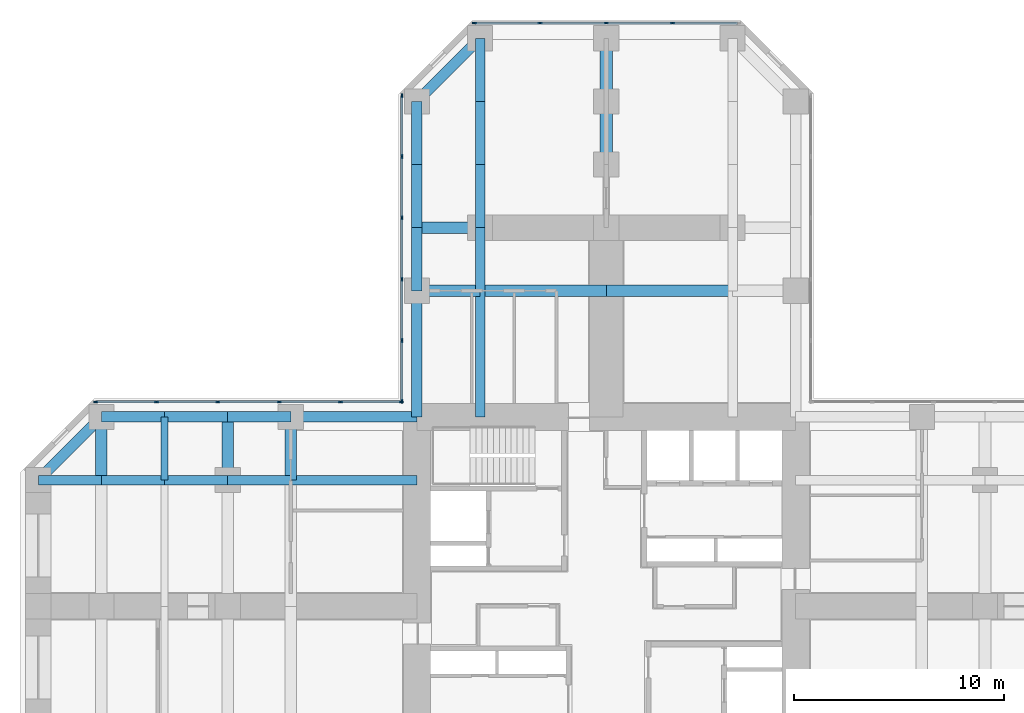
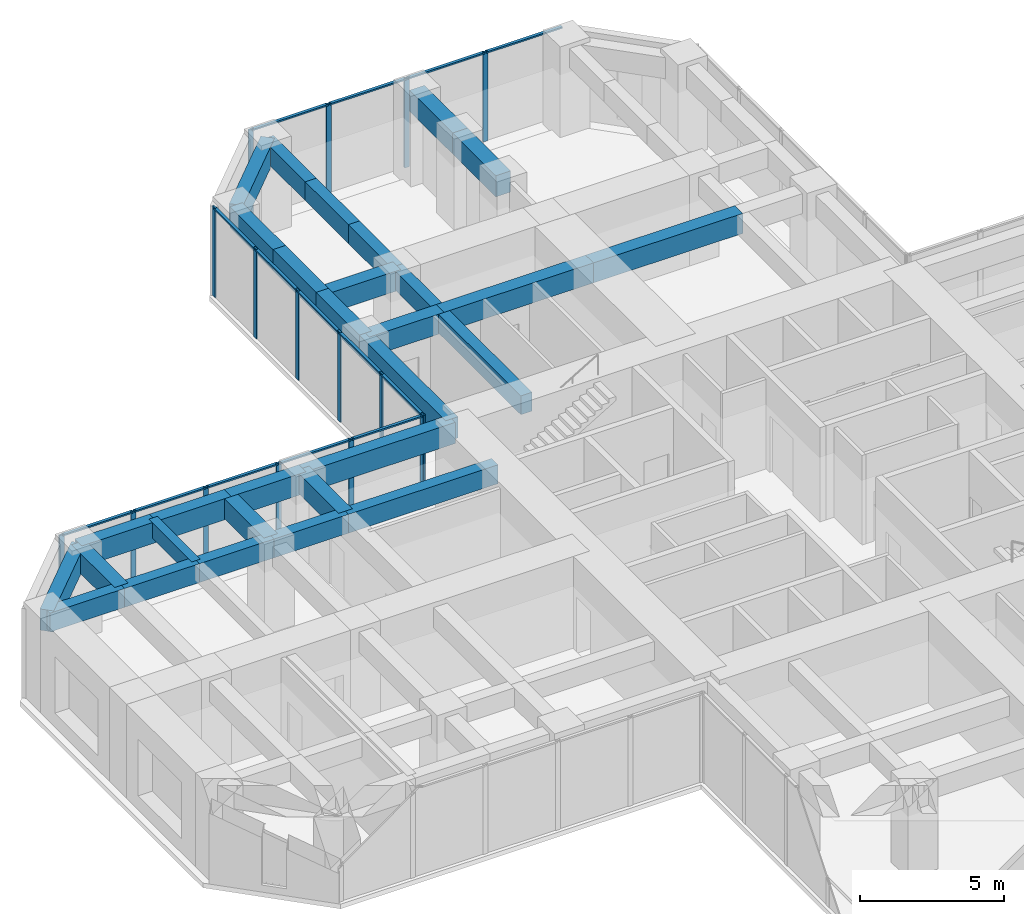
# One storey, part 5 of 12: 30 beams, 30 members, 3 elements without a shape of their own.
"""IFC4 building model written with IfcOpenShell, lengths in metres."""

from ifc_helpers import new_model, si_unit, direction, frame, origin, origin_2d, place, context, subcontext, project, spatial, rectangle, extrude, material, material_profile, profile_set, type_object, element, aggregate, save


model = new_model("IFC4")

# Units and contexts
model_context = context("Model", 3, precision=1e-05, world=origin(), true_north=direction((0.0, 1.0)))
body_context = subcontext(model_context, "Body", "Model", "MODEL_VIEW")
ifc_project = project(units=[si_unit("LENGTHUNIT", "METRE"), si_unit("AREAUNIT", "SQUARE_METRE"), si_unit("VOLUMEUNIT", "CUBIC_METRE"), si_unit("PLANEANGLEUNIT", "RADIAN"), si_unit("MASSUNIT", "GRAM", prefix="KILO")], contexts=[model_context])

# Site, building, storey
site_placement = place(None, origin())
site = spatial("IfcSite", under=ifc_project, at=site_placement, CompositionType="ELEMENT")
building_placement = place(site_placement, origin())
building = spatial("IfcBuilding", under=site, at=building_placement, Name="Torre Cruceta", CompositionType="ELEMENT")
storey_placement = place(building_placement, frame((0.0, 0.0, 63.5)))
storey = spatial("IfcBuildingStorey", under=building, at=storey_placement, Name="L15", CompositionType="ELEMENT", Elevation=63.5)

# Beams
ifc_material_1 = material(Name="Concrete G60 (fck 60 MPa)", Category="concrete")
ifc_material_profile_1 = material_profile(ifc_material_1, rectangle(XDim=0.60009765625, YDim=0.89990234375, at=origin_2d()), Name="RC 600X900")
ifc_profile_set_1 = profile_set([ifc_material_profile_1], Name="Concrete G60 (fck 60 MPa)")
beam_type_1 = type_object("IfcBeamType", Name="ARM CENTRE BEAM RC 600X900", PredefinedType="BEAM", material=ifc_profile_set_1)
for number, where, z_axis, x_axis, name in (
    (1, (0.0, 21.0, 3.35009765625), (0.0, 1.0, 0.0), (-1.0, 0.0, 0.0), "MB3 L15 N centre 1"),
    (2, (0.0, 24.0, 3.35009765625), (0.0, 1.0, 0.0), (-1.0, 0.0, 0.0), "MB3 L15 N centre 2"),
):
    element("IfcBeam", number, at=place(storey_placement, frame(where, z_axis=z_axis, x_axis=x_axis)), inside=storey, type_object=beam_type_1, Name=name, PredefinedType="BEAM", context=body_context, shape_type="SweptSolid", body=[
        extrude(rectangle(XDim=0.60009765625, YDim=0.89990234375, at=origin_2d()), origin(), (0.0, 0.0, 1.0), 3.0),
    ])
ifc_material_2 = material(Name="Concrete G60 (fck 60 MPa)", Category="concrete")
ifc_material_profile_2 = material_profile(ifc_material_2, rectangle(XDim=0.449951171875, YDim=0.800048828125, at=origin_2d()), Name="RC 450X800")
ifc_profile_set_2 = profile_set([ifc_material_profile_2], Name="Concrete G60 (fck 60 MPa)")
beam_type_2 = type_object("IfcBeamType", Name="COLUMN LINE BEAM RC 450X800", PredefinedType="BEAM", material=ifc_profile_set_2)
beam_1_placement = place(storey_placement, frame((-6.0, 9.0, 3.39990234375), z_axis=(0.0, 1.0, 0.0), x_axis=(-1.0, 0.0, 0.0)))
element("IfcBeam", 3, at=beam_1_placement, inside=storey, type_object=beam_type_2, Name="LB1 L15 N col+ 1", PredefinedType="BEAM", context=body_context, shape_type="SweptSolid", body=[
    extrude(rectangle(XDim=0.449951171875, YDim=0.800048828125, at=origin_2d()), origin(), (0.0, 0.0, 1.0), 6.0),
])
for number, where, z_axis, x_axis, name in (
    (4, (-6.0, 15.0, 3.39990234375), (0.0, 1.0, 0.0), (-1.0, 0.0, 0.0), "LB1 L15 N col+ 2"),
    (5, (-6.0, 18.0, 3.39990234375), (0.0, 1.0, 0.0), (-1.0, 0.0, 0.0), "LB1 L15 N col+ 3"),
    (6, (-6.0, 21.0, 3.39990234375), (0.0, 1.0, 0.0), (-1.0, 0.0, 0.0), "LB1 L15 N col+ 4"),
    (7, (-6.0, 24.0, 3.39990234375), (0.0, 1.0, 0.0), (-1.0, 0.0, 0.0), "LB1 L15 N col+ 5"),
):
    element("IfcBeam", number, at=place(storey_placement, frame(where, z_axis=z_axis, x_axis=x_axis)), inside=storey, type_object=beam_type_2, Name=name, PredefinedType="BEAM", context=body_context, shape_type="SweptSolid", body=[
        extrude(rectangle(XDim=0.449951171875, YDim=0.800048828125, at=origin_2d()), origin(), (0.0, 0.0, 1.0), 3.0),
    ])
beam_2_placement = place(storey_placement, frame((-9.0, 6.0, 3.39990234375), z_axis=(-1.0, 0.0, 0.0), x_axis=(0.0, -1.0, 0.0)))
element("IfcBeam", 8, at=beam_2_placement, inside=storey, type_object=beam_type_2, Name="LB1 L15 W col- 1", PredefinedType="BEAM", context=body_context, shape_type="SweptSolid", body=[
    extrude(rectangle(XDim=0.449951171875, YDim=0.800048828125, at=origin_2d()), origin(), (0.0, 0.0, 1.0), 6.0),
])
for number, where, z_axis, x_axis, name in (
    (9, (-15.0, 6.0, 3.39990234375), (-1.0, 0.0, 0.0), (0.0, -1.0, 0.0), "LB1 L15 W col- 2"),
    (10, (-18.0, 6.0, 3.39990234375), (-1.0, 0.0, 0.0), (0.0, -1.0, 0.0), "LB1 L15 W col- 3"),
    (11, (-21.0, 6.0, 3.39990234375), (-1.0, 0.0, 0.0), (0.0, -1.0, 0.0), "LB1 L15 W col- 4"),
    (12, (-24.0, 6.0, 3.39990234375), (-1.0, 0.0, 0.0), (0.0, -1.0, 0.0), "LB1 L15 W col- 5"),
):
    element("IfcBeam", number, at=place(storey_placement, frame(where, z_axis=z_axis, x_axis=x_axis)), inside=storey, type_object=beam_type_2, Name=name, PredefinedType="BEAM", context=body_context, shape_type="SweptSolid", body=[
        extrude(rectangle(XDim=0.449951171875, YDim=0.800048828125, at=origin_2d()), origin(), (0.0, 0.0, 1.0), 3.0),
    ])
ifc_material_3 = material(Name="Concrete G60 (fck 60 MPa)", Category="concrete")
ifc_material_profile_3 = material_profile(ifc_material_3, rectangle(XDim=0.550048828125, YDim=0.85009765625, at=origin_2d()), Name="RC 550X850")
ifc_profile_set_3 = profile_set([ifc_material_profile_3], Name="Concrete G60 (fck 60 MPa)")
beam_type_3 = type_object("IfcBeamType", Name="CROSS BEAM RC 550X850", PredefinedType="BEAM", material=ifc_profile_set_3)
for number, where, z_axis, x_axis, name in (
    (13, (6.0, 15.0, 3.375), (-1.0, 0.0, 0.0), (0.0, -1.0, 0.0), "GB4 L15 N cross15 2"),
    (14, (0.0, 15.0, 3.375), (-1.0, 0.0, 0.0), (0.0, -1.0, 0.0), "GB4 L15 N cross15 3"),
):
    element("IfcBeam", number, at=place(storey_placement, frame(where, z_axis=z_axis, x_axis=x_axis)), inside=storey, type_object=beam_type_3, Name=name, PredefinedType="BEAM", context=body_context, shape_type="SweptSolid", body=[
        extrude(rectangle(XDim=0.550048828125, YDim=0.85009765625, at=origin_2d()), origin(), (0.0, 0.0, 1.0), 6.0),
    ])
for number, where, z_axis, x_axis, name in (
    (15, (-6.0, 15.0, 3.375), (-1.0, 0.0, 0.0), (0.0, -1.0, 0.0), "GB4 L15 N cross15 4"),
    (16, (-6.0, 18.0, 3.375), (-1.0, 0.0, 0.0), (0.0, -1.0, 0.0), "GB4 L15 N cross18b 1"),
    (17, (-15.0, 9.0, 3.375), (0.0, -1.0, 0.0), (1.0, 0.0, 0.0), "GB4 L15 W cross15 1"),
    (18, (-18.0, 9.0, 3.375), (0.0, -1.0, 0.0), (1.0, 0.0, 0.0), "GB4 L15 W cross18 1"),
    (19, (-24.0, 9.0, 3.375), (0.0, -1.0, 0.0), (1.0, 0.0, 0.0), "GB4 L15 W cross24 1"),
):
    element("IfcBeam", number, at=place(storey_placement, frame(where, z_axis=z_axis, x_axis=x_axis)), inside=storey, type_object=beam_type_3, Name=name, PredefinedType="BEAM", context=body_context, shape_type="SweptSolid", body=[
        extrude(rectangle(XDim=0.550048828125, YDim=0.85009765625, at=origin_2d()), origin(), (0.0, 0.0, 1.0), 3.0),
    ])

# Curtain wall, members
ifc_material_4 = material(Name="Aluminium unitised curtain wall", Category="aluminium")
curtain_wall_type = type_object("IfcCurtainWallType", Name="CURTAIN WALL CW-A OFFICE LOW RISE", PredefinedType="USERDEFINED", material=ifc_material_4)
curtain_wall_1_placement = place(storey_placement, origin())
curtain_wall_1 = element("IfcCurtainWall", 20, at=curtain_wall_1_placement, inside=storey, type_object=curtain_wall_type, Name="CW-A L15 N tip 07", ObjectType="UNITISED", PredefinedType="USERDEFINED")
ifc_material_5 = material(Name="Aluminium mullion", Category="aluminium")
ifc_material_profile_4 = material_profile(ifc_material_5, rectangle(XDim=0.06494140625, YDim=0.199951171875, at=origin_2d()), Name="AL 65X200")
ifc_profile_set_4 = profile_set([ifc_material_profile_4], Name="Aluminium mullion")
member_type_1 = type_object("IfcMemberType", Name="CW-A MULLION 65X200", PredefinedType="MULLION", material=ifc_profile_set_4)
member_1_placement = place(storey_placement, frame((3.149169921875, 27.719970703125, 0.0), z_axis=(0.0, 0.0, 1.0), x_axis=(0.0, -1.0, 0.0)))
member_1 = element("IfcMember", 21, at=member_1_placement, type_object=member_type_1, Name="CW-A mullion 2", PredefinedType="MULLION", context=body_context, shape_type="SweptSolid", body=[
    extrude(rectangle(XDim=0.06494140625, YDim=0.199951171875, at=origin_2d()), origin(), (0.0, 0.0, 1.0), 3.800048828125),
])
member_2_placement = place(storey_placement, frame((0.0, 27.719970703125, 0.0), z_axis=(0.0, 0.0, 1.0), x_axis=(0.0, -1.0, 0.0)))
member_2 = element("IfcMember", 22, at=member_2_placement, type_object=member_type_1, Name="CW-A mullion 3", PredefinedType="MULLION", context=body_context, shape_type="SweptSolid", body=[
    extrude(rectangle(XDim=0.06494140625, YDim=0.199951171875, at=origin_2d()), origin(), (0.0, 0.0, 1.0), 3.800048828125),
])
member_3_placement = place(storey_placement, frame((-3.149169921875, 27.719970703125, 0.0), z_axis=(0.0, 0.0, 1.0), x_axis=(0.0, -1.0, 0.0)))
member_3 = element("IfcMember", 23, at=member_3_placement, type_object=member_type_1, Name="CW-A mullion 4", PredefinedType="MULLION", context=body_context, shape_type="SweptSolid", body=[
    extrude(rectangle(XDim=0.06494140625, YDim=0.199951171875, at=origin_2d()), origin(), (0.0, 0.0, 1.0), 3.800048828125),
])
member_4_placement = place(storey_placement, frame((-6.265625, 27.719970703125, 0.0), z_axis=(0.0, 0.0, 1.0), x_axis=(0.0, -1.0, 0.0)))
member_4 = element("IfcMember", 24, at=member_4_placement, type_object=member_type_1, Name="CW-A mullion 5", PredefinedType="MULLION", context=body_context, shape_type="SweptSolid", body=[
    extrude(rectangle(XDim=0.06494140625, YDim=0.199951171875, at=origin_2d()), origin(), (0.0, 0.0, 1.0), 3.800048828125),
])

curtain_wall_2_placement = place(storey_placement, origin())
curtain_wall_2 = element("IfcCurtainWall", 25, at=curtain_wall_2_placement, inside=storey, type_object=curtain_wall_type, Name="CW-A L15 N side 09", ObjectType="UNITISED", PredefinedType="USERDEFINED")
member_5_placement = place(storey_placement, frame((-9.719970703125, 24.265625, 0.0), z_axis=(0.0, 0.0, 1.0), x_axis=(1.0, 0.0, 0.0)))
member_5 = element("IfcMember", 26, at=member_5_placement, type_object=member_type_1, Name="CW-A mullion 1", PredefinedType="MULLION", context=body_context, shape_type="SweptSolid", body=[
    extrude(rectangle(XDim=0.06494140625, YDim=0.199951171875, at=origin_2d()), origin(), (0.0, 0.0, 1.0), 3.800048828125),
])
member_6_placement = place(storey_placement, frame((-9.719970703125, 21.382568359375, 0.0), z_axis=(0.0, 0.0, 1.0), x_axis=(1.0, 0.0, 0.0)))
member_6 = element("IfcMember", 27, at=member_6_placement, type_object=member_type_1, Name="CW-A mullion 2", PredefinedType="MULLION", context=body_context, shape_type="SweptSolid", body=[
    extrude(rectangle(XDim=0.06494140625, YDim=0.199951171875, at=origin_2d()), origin(), (0.0, 0.0, 1.0), 3.800048828125),
])
member_7_placement = place(storey_placement, frame((-9.719970703125, 18.467041015625, 0.0), z_axis=(0.0, 0.0, 1.0), x_axis=(1.0, 0.0, 0.0)))
member_7 = element("IfcMember", 28, at=member_7_placement, type_object=member_type_1, Name="CW-A mullion 3", PredefinedType="MULLION", context=body_context, shape_type="SweptSolid", body=[
    extrude(rectangle(XDim=0.06494140625, YDim=0.199951171875, at=origin_2d()), origin(), (0.0, 0.0, 1.0), 3.800048828125),
])
member_8_placement = place(storey_placement, frame((-9.719970703125, 15.55126953125, 0.0), z_axis=(0.0, 0.0, 1.0), x_axis=(1.0, 0.0, 0.0)))
member_8 = element("IfcMember", 29, at=member_8_placement, type_object=member_type_1, Name="CW-A mullion 4", PredefinedType="MULLION", context=body_context, shape_type="SweptSolid", body=[
    extrude(rectangle(XDim=0.06494140625, YDim=0.199951171875, at=origin_2d()), origin(), (0.0, 0.0, 1.0), 3.800048828125),
])
member_9_placement = place(storey_placement, frame((-9.719970703125, 12.6357421875, 0.0), z_axis=(0.0, 0.0, 1.0), x_axis=(1.0, 0.0, 0.0)))
member_9 = element("IfcMember", 30, at=member_9_placement, type_object=member_type_1, Name="CW-A mullion 5", PredefinedType="MULLION", context=body_context, shape_type="SweptSolid", body=[
    extrude(rectangle(XDim=0.06494140625, YDim=0.199951171875, at=origin_2d()), origin(), (0.0, 0.0, 1.0), 3.800048828125),
])
member_10_placement = place(storey_placement, frame((-9.719970703125, 9.75244140625, 0.0), z_axis=(0.0, 0.0, 1.0), x_axis=(1.0, 0.0, 0.0)))
member_10 = element("IfcMember", 31, at=member_10_placement, type_object=member_type_1, Name="CW-A mullion 6", PredefinedType="MULLION", context=body_context, shape_type="SweptSolid", body=[
    extrude(rectangle(XDim=0.06494140625, YDim=0.199951171875, at=origin_2d()), origin(), (0.0, 0.0, 1.0), 3.800048828125),
])

curtain_wall_3_placement = place(storey_placement, origin())
curtain_wall_3 = element("IfcCurtainWall", 32, at=curtain_wall_3_placement, inside=storey, type_object=curtain_wall_type, Name="CW-A L15 W side 10", ObjectType="UNITISED", PredefinedType="USERDEFINED")
member_11_placement = place(storey_placement, frame((-9.75244140625, 9.719970703125, 0.0), z_axis=(0.0, 0.0, 1.0), x_axis=(0.0, -1.0, 0.0)))
member_11 = element("IfcMember", 33, at=member_11_placement, type_object=member_type_1, Name="CW-A mullion 1", PredefinedType="MULLION", context=body_context, shape_type="SweptSolid", body=[
    extrude(rectangle(XDim=0.06494140625, YDim=0.199951171875, at=origin_2d()), origin(), (0.0, 0.0, 1.0), 3.800048828125),
])
member_12_placement = place(storey_placement, frame((-12.6357421875, 9.719970703125, 0.0), z_axis=(0.0, 0.0, 1.0), x_axis=(0.0, -1.0, 0.0)))
member_12 = element("IfcMember", 34, at=member_12_placement, type_object=member_type_1, Name="CW-A mullion 2", PredefinedType="MULLION", context=body_context, shape_type="SweptSolid", body=[
    extrude(rectangle(XDim=0.06494140625, YDim=0.199951171875, at=origin_2d()), origin(), (0.0, 0.0, 1.0), 3.800048828125),
])
member_13_placement = place(storey_placement, frame((-15.55126953125, 9.719970703125, 0.0), z_axis=(0.0, 0.0, 1.0), x_axis=(0.0, -1.0, 0.0)))
member_13 = element("IfcMember", 35, at=member_13_placement, type_object=member_type_1, Name="CW-A mullion 3", PredefinedType="MULLION", context=body_context, shape_type="SweptSolid", body=[
    extrude(rectangle(XDim=0.06494140625, YDim=0.199951171875, at=origin_2d()), origin(), (0.0, 0.0, 1.0), 3.800048828125),
])
member_14_placement = place(storey_placement, frame((-18.467041015625, 9.719970703125, 0.0), z_axis=(0.0, 0.0, 1.0), x_axis=(0.0, -1.0, 0.0)))
member_14 = element("IfcMember", 36, at=member_14_placement, type_object=member_type_1, Name="CW-A mullion 4", PredefinedType="MULLION", context=body_context, shape_type="SweptSolid", body=[
    extrude(rectangle(XDim=0.06494140625, YDim=0.199951171875, at=origin_2d()), origin(), (0.0, 0.0, 1.0), 3.800048828125),
])
member_15_placement = place(storey_placement, frame((-21.382568359375, 9.719970703125, 0.0), z_axis=(0.0, 0.0, 1.0), x_axis=(0.0, -1.0, 0.0)))
member_15 = element("IfcMember", 37, at=member_15_placement, type_object=member_type_1, Name="CW-A mullion 5", PredefinedType="MULLION", context=body_context, shape_type="SweptSolid", body=[
    extrude(rectangle(XDim=0.06494140625, YDim=0.199951171875, at=origin_2d()), origin(), (0.0, 0.0, 1.0), 3.800048828125),
])
member_16_placement = place(storey_placement, frame((-24.265625, 9.719970703125, 0.0), z_axis=(0.0, 0.0, 1.0), x_axis=(0.0, -1.0, 0.0)))
member_16 = element("IfcMember", 38, at=member_16_placement, type_object=member_type_1, Name="CW-A mullion 6", PredefinedType="MULLION", context=body_context, shape_type="SweptSolid", body=[
    extrude(rectangle(XDim=0.06494140625, YDim=0.199951171875, at=origin_2d()), origin(), (0.0, 0.0, 1.0), 3.800048828125),
])

# Member
ifc_material_6 = material(Name="Aluminium transom", Category="aluminium")
ifc_material_profile_5 = material_profile(ifc_material_6, rectangle(XDim=0.1201171875, YDim=0.06494140625, at=origin_2d()), Name="AL 120X65")
ifc_profile_set_5 = profile_set([ifc_material_profile_5], Name="Aluminium transom")
member_type_2 = type_object("IfcMemberType", Name="CW-A TRANSOM 65X120", PredefinedType="USERDEFINED", material=ifc_profile_set_5)
member_17_placement = place(storey_placement, frame((6.233154296875, 27.719970703125, 3.767578125), z_axis=(-1.0, 0.0, 0.0), x_axis=(0.0, -1.0, 0.0)))
member_17 = element("IfcMember", 39, at=member_17_placement, type_object=member_type_2, Name="CW-A transom 1", ObjectType="TRANSOM", PredefinedType="USERDEFINED", context=body_context, shape_type="SweptSolid", body=[
    extrude(rectangle(XDim=0.1201171875, YDim=0.06494140625, at=origin_2d()), origin(), (0.0, 0.0, 1.0), 3.051513671875),
])

member_18_placement = place(storey_placement, frame((3.11669921875, 27.719970703125, 3.767578125), z_axis=(-1.0, 0.0, 0.0), x_axis=(0.0, -1.0, 0.0)))
member_18 = element("IfcMember", 40, at=member_18_placement, type_object=member_type_2, Name="CW-A transom 2", ObjectType="TRANSOM", PredefinedType="USERDEFINED", context=body_context, shape_type="SweptSolid", body=[
    extrude(rectangle(XDim=0.1201171875, YDim=0.06494140625, at=origin_2d()), origin(), (0.0, 0.0, 1.0), 3.084228515625),
])

member_19_placement = place(storey_placement, frame((-0.032470703125, 27.719970703125, 3.767578125), z_axis=(-1.0, 0.0, 0.0), x_axis=(0.0, -1.0, 0.0)))
member_19 = element("IfcMember", 41, at=member_19_placement, type_object=member_type_2, Name="CW-A transom 3", ObjectType="TRANSOM", PredefinedType="USERDEFINED", context=body_context, shape_type="SweptSolid", body=[
    extrude(rectangle(XDim=0.1201171875, YDim=0.06494140625, at=origin_2d()), origin(), (0.0, 0.0, 1.0), 3.084228515625),
])

member_20_placement = place(storey_placement, frame((-3.181640625, 27.719970703125, 3.767578125), z_axis=(-1.0, 0.0, 0.0), x_axis=(0.0, -1.0, 0.0)))
member_20 = element("IfcMember", 42, at=member_20_placement, type_object=member_type_2, Name="CW-A transom 4", ObjectType="TRANSOM", PredefinedType="USERDEFINED", context=body_context, shape_type="SweptSolid", body=[
    extrude(rectangle(XDim=0.1201171875, YDim=0.06494140625, at=origin_2d()), origin(), (0.0, 0.0, 1.0), 3.051513671875),
])

aggregate(curtain_wall_1, [member_1, member_2, member_3, member_4, member_17, member_18, member_19, member_20])

member_21_placement = place(storey_placement, frame((-9.719970703125, 24.233154296875, 3.767578125), z_axis=(0.0, -1.0, 0.0), x_axis=(1.0, 0.0, 0.0)))
member_21 = element("IfcMember", 43, at=member_21_placement, type_object=member_type_2, Name="CW-A transom 1", ObjectType="TRANSOM", PredefinedType="USERDEFINED", context=body_context, shape_type="SweptSolid", body=[
    extrude(rectangle(XDim=0.1201171875, YDim=0.06494140625, at=origin_2d()), origin(), (0.0, 0.0, 1.0), 2.818115234375),
])

member_22_placement = place(storey_placement, frame((-9.719970703125, 21.35009765625, 3.767578125), z_axis=(0.0, -1.0, 0.0), x_axis=(1.0, 0.0, 0.0)))
member_22 = element("IfcMember", 44, at=member_22_placement, type_object=member_type_2, Name="CW-A transom 2", ObjectType="TRANSOM", PredefinedType="USERDEFINED", context=body_context, shape_type="SweptSolid", body=[
    extrude(rectangle(XDim=0.1201171875, YDim=0.06494140625, at=origin_2d()), origin(), (0.0, 0.0, 1.0), 2.8505859375),
])

member_23_placement = place(storey_placement, frame((-9.719970703125, 18.434326171875, 3.767578125), z_axis=(0.0, -1.0, 0.0), x_axis=(1.0, 0.0, 0.0)))
member_23 = element("IfcMember", 45, at=member_23_placement, type_object=member_type_2, Name="CW-A transom 3", ObjectType="TRANSOM", PredefinedType="USERDEFINED", context=body_context, shape_type="SweptSolid", body=[
    extrude(rectangle(XDim=0.1201171875, YDim=0.06494140625, at=origin_2d()), origin(), (0.0, 0.0, 1.0), 2.8505859375),
])

member_24_placement = place(storey_placement, frame((-9.719970703125, 15.518798828125, 3.767578125), z_axis=(0.0, -1.0, 0.0), x_axis=(1.0, 0.0, 0.0)))
member_24 = element("IfcMember", 46, at=member_24_placement, type_object=member_type_2, Name="CW-A transom 4", ObjectType="TRANSOM", PredefinedType="USERDEFINED", context=body_context, shape_type="SweptSolid", body=[
    extrude(rectangle(XDim=0.1201171875, YDim=0.06494140625, at=origin_2d()), origin(), (0.0, 0.0, 1.0), 2.8505859375),
])

member_25_placement = place(storey_placement, frame((-9.719970703125, 12.60302734375, 3.767578125), z_axis=(0.0, -1.0, 0.0), x_axis=(1.0, 0.0, 0.0)))
member_25 = element("IfcMember", 47, at=member_25_placement, type_object=member_type_2, Name="CW-A transom 5", ObjectType="TRANSOM", PredefinedType="USERDEFINED", context=body_context, shape_type="SweptSolid", body=[
    extrude(rectangle(XDim=0.1201171875, YDim=0.06494140625, at=origin_2d()), origin(), (0.0, 0.0, 1.0), 2.818115234375),
])

aggregate(curtain_wall_2, [member_5, member_6, member_7, member_8, member_9, member_10, member_21, member_22, member_23, member_24, member_25])

member_26_placement = place(storey_placement, frame((-9.784912109375, 9.719970703125, 3.767578125), z_axis=(-1.0, 0.0, 0.0), x_axis=(0.0, -1.0, 0.0)))
member_26 = element("IfcMember", 48, at=member_26_placement, type_object=member_type_2, Name="CW-A transom 1", ObjectType="TRANSOM", PredefinedType="USERDEFINED", context=body_context, shape_type="SweptSolid", body=[
    extrude(rectangle(XDim=0.1201171875, YDim=0.06494140625, at=origin_2d()), origin(), (0.0, 0.0, 1.0), 2.818115234375),
])

member_27_placement = place(storey_placement, frame((-12.668212890625, 9.719970703125, 3.767578125), z_axis=(-1.0, 0.0, 0.0), x_axis=(0.0, -1.0, 0.0)))
member_27 = element("IfcMember", 49, at=member_27_placement, type_object=member_type_2, Name="CW-A transom 2", ObjectType="TRANSOM", PredefinedType="USERDEFINED", context=body_context, shape_type="SweptSolid", body=[
    extrude(rectangle(XDim=0.1201171875, YDim=0.06494140625, at=origin_2d()), origin(), (0.0, 0.0, 1.0), 2.8505859375),
])

member_28_placement = place(storey_placement, frame((-15.583740234375, 9.719970703125, 3.767578125), z_axis=(-1.0, 0.0, 0.0), x_axis=(0.0, -1.0, 0.0)))
member_28 = element("IfcMember", 50, at=member_28_placement, type_object=member_type_2, Name="CW-A transom 3", ObjectType="TRANSOM", PredefinedType="USERDEFINED", context=body_context, shape_type="SweptSolid", body=[
    extrude(rectangle(XDim=0.1201171875, YDim=0.06494140625, at=origin_2d()), origin(), (0.0, 0.0, 1.0), 2.8505859375),
])

member_29_placement = place(storey_placement, frame((-18.49951171875, 9.719970703125, 3.767578125), z_axis=(-1.0, 0.0, 0.0), x_axis=(0.0, -1.0, 0.0)))
member_29 = element("IfcMember", 51, at=member_29_placement, type_object=member_type_2, Name="CW-A transom 4", ObjectType="TRANSOM", PredefinedType="USERDEFINED", context=body_context, shape_type="SweptSolid", body=[
    extrude(rectangle(XDim=0.1201171875, YDim=0.06494140625, at=origin_2d()), origin(), (0.0, 0.0, 1.0), 2.8505859375),
])

member_30_placement = place(storey_placement, frame((-21.4150390625, 9.719970703125, 3.767578125), z_axis=(-1.0, 0.0, 0.0), x_axis=(0.0, -1.0, 0.0)))
member_30 = element("IfcMember", 52, at=member_30_placement, type_object=member_type_2, Name="CW-A transom 5", ObjectType="TRANSOM", PredefinedType="USERDEFINED", context=body_context, shape_type="SweptSolid", body=[
    extrude(rectangle(XDim=0.1201171875, YDim=0.06494140625, at=origin_2d()), origin(), (0.0, 0.0, 1.0), 2.818115234375),
])

aggregate(curtain_wall_3, [member_11, member_12, member_13, member_14, member_15, member_16, member_26, member_27, member_28, member_29, member_30])

# Beams
ifc_material_7 = material(Name="Concrete G60 (fck 60 MPa)", Category="concrete")
ifc_material_profile_6 = material_profile(ifc_material_7, rectangle(XDim=0.35009765625, YDim=0.64990234375, at=origin_2d()), Name="RC 350X650")
ifc_profile_set_6 = profile_set([ifc_material_profile_6], Name="Concrete G60 (fck 60 MPa)")
beam_type_4 = type_object("IfcBeamType", Name="SECONDARY BEAM RC 350X650", PredefinedType="JOIST", material=ifc_profile_set_6)
beam_3_placement = place(storey_placement, frame((-21.0, 9.0, 3.47509765625), z_axis=(0.0, -1.0, 0.0), x_axis=(1.0, 0.0, 0.0)))
element("IfcBeam", 53, at=beam_3_placement, inside=storey, type_object=beam_type_4, Name="JB3 L15 W sec21 1", PredefinedType="JOIST", context=body_context, shape_type="SweptSolid", body=[
    extrude(rectangle(XDim=0.35009765625, YDim=0.64990234375, at=origin_2d()), origin(), (0.0, 0.0, 1.0), 3.0),
])
ifc_material_8 = material(Name="Concrete G60 (fck 60 MPa)", Category="concrete")
ifc_material_profile_7 = material_profile(ifc_material_8, rectangle(XDim=0.5, YDim=0.89990234375, at=origin_2d()), Name="RC 500X900")
ifc_profile_set_7 = profile_set([ifc_material_profile_7], Name="Concrete G60 (fck 60 MPa)")
beam_type_5 = type_object("IfcBeamType", Name="SPANDREL BEAM RC 500X900", PredefinedType="SPANDREL", material=ifc_profile_set_7)
beam_4_placement = place(storey_placement, frame((-9.0, 9.0, 3.35009765625), z_axis=(0.0, 1.0, 0.0), x_axis=(-1.0, 0.0, 0.0)))
element("IfcBeam", 54, at=beam_4_placement, inside=storey, type_object=beam_type_5, Name="SB4 L15 N side+ 1", PredefinedType="SPANDREL", context=body_context, shape_type="SweptSolid", body=[
    extrude(rectangle(XDim=0.5, YDim=0.89990234375, at=origin_2d()), origin(), (0.0, 0.0, 1.0), 6.0),
])
for number, where, z_axis, x_axis, name in (
    (55, (-9.0, 15.0, 3.35009765625), (0.0, 1.0, 0.0), (-1.0, 0.0, 0.0), "SB4 L15 N side+ 2"),
    (56, (-9.0, 18.0, 3.35009765625), (0.0, 1.0, 0.0), (-1.0, 0.0, 0.0), "SB4 L15 N side+ 3"),
    (57, (-9.0, 21.0, 3.35009765625), (0.0, 1.0, 0.0), (-1.0, 0.0, 0.0), "SB4 L15 N side+ 4"),
):
    element("IfcBeam", number, at=place(storey_placement, frame(where, z_axis=z_axis, x_axis=x_axis)), inside=storey, type_object=beam_type_5, Name=name, PredefinedType="SPANDREL", context=body_context, shape_type="SweptSolid", body=[
        extrude(rectangle(XDim=0.5, YDim=0.89990234375, at=origin_2d()), origin(), (0.0, 0.0, 1.0), 3.0),
    ])
beam_5_placement = place(storey_placement, frame((-9.0, 24.0, 3.35009765625), z_axis=(0.707106781187, 0.707106781187, 0.0), x_axis=(-0.707106781187, 0.707106781187, 0.0)))
element("IfcBeam", 58, at=beam_5_placement, inside=storey, type_object=beam_type_5, Name="SB4 L15 N side+ 5", PredefinedType="SPANDREL", context=body_context, shape_type="SweptSolid", body=[
    extrude(rectangle(XDim=0.5, YDim=0.89990234375, at=origin_2d()), origin(), (0.0, 0.0, 1.0), 4.24267578125),
])
beam_6_placement = place(storey_placement, frame((-9.0, 9.0, 3.35009765625), z_axis=(-1.0, 0.0, 0.0), x_axis=(0.0, -1.0, 0.0)))
element("IfcBeam", 59, at=beam_6_placement, inside=storey, type_object=beam_type_5, Name="SB4 L15 W side- 1", PredefinedType="SPANDREL", context=body_context, shape_type="SweptSolid", body=[
    extrude(rectangle(XDim=0.5, YDim=0.89990234375, at=origin_2d()), origin(), (0.0, 0.0, 1.0), 6.0),
])
for number, where, z_axis, x_axis, name in (
    (60, (-15.0, 9.0, 3.35009765625), (-1.0, 0.0, 0.0), (0.0, -1.0, 0.0), "SB4 L15 W side- 2"),
    (61, (-18.0, 9.0, 3.35009765625), (-1.0, 0.0, 0.0), (0.0, -1.0, 0.0), "SB4 L15 W side- 3"),
    (62, (-21.0, 9.0, 3.35009765625), (-1.0, 0.0, 0.0), (0.0, -1.0, 0.0), "SB4 L15 W side- 4"),
):
    element("IfcBeam", number, at=place(storey_placement, frame(where, z_axis=z_axis, x_axis=x_axis)), inside=storey, type_object=beam_type_5, Name=name, PredefinedType="SPANDREL", context=body_context, shape_type="SweptSolid", body=[
        extrude(rectangle(XDim=0.5, YDim=0.89990234375, at=origin_2d()), origin(), (0.0, 0.0, 1.0), 3.0),
    ])
beam_7_placement = place(storey_placement, frame((-24.0, 9.0, 3.35009765625), z_axis=(-0.707106781187, -0.707106781187, 0.0), x_axis=(0.707106781187, -0.707106781187, 0.0)))
element("IfcBeam", 63, at=beam_7_placement, inside=storey, type_object=beam_type_5, Name="SB4 L15 W side- 5", PredefinedType="SPANDREL", context=body_context, shape_type="SweptSolid", body=[
    extrude(rectangle(XDim=0.5, YDim=0.89990234375, at=origin_2d()), origin(), (0.0, 0.0, 1.0), 4.24267578125),
])

save(model, "model.ifc")
